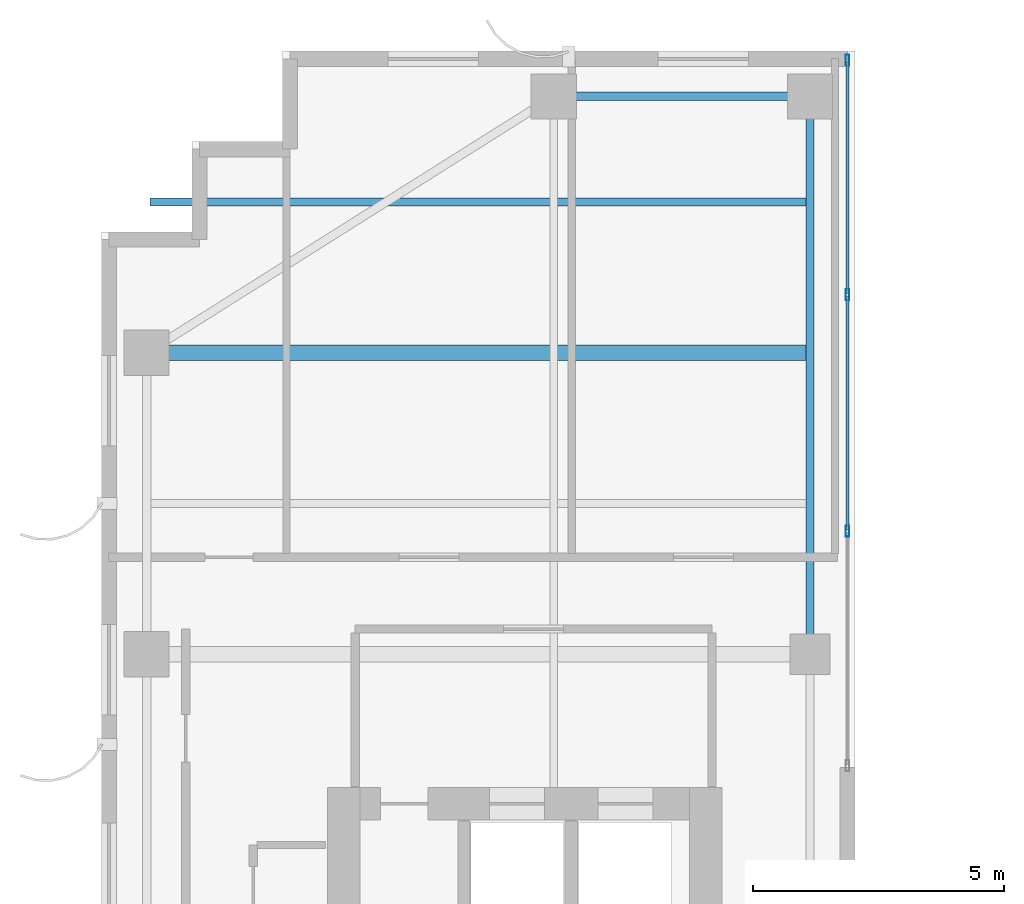
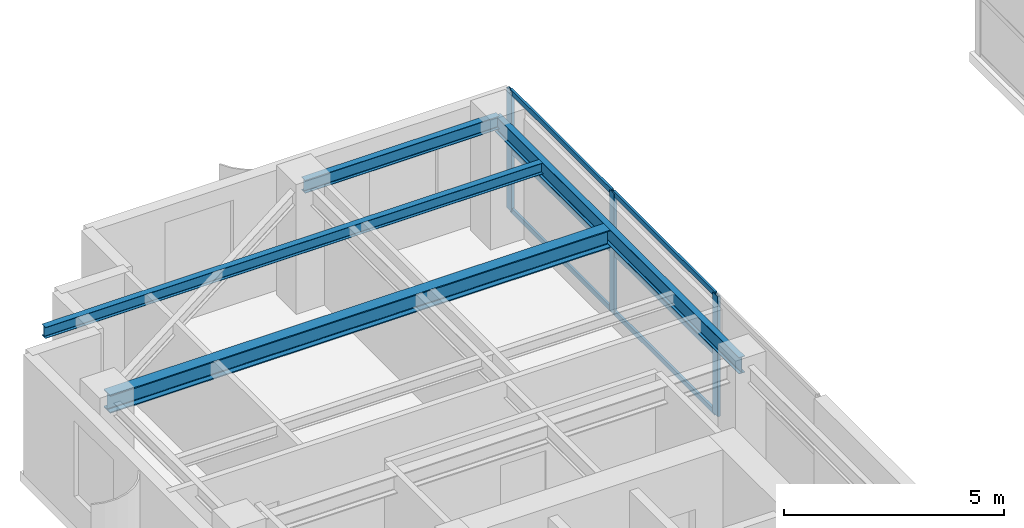
# One storey, part 13 of 22: 9 members, 4 beams, 1 element without a shape of its own.
"""IFC4 building model written with IfcOpenShell, lengths in metres."""

from ifc_helpers import new_model, si_unit, direction, frame, origin, origin_2d, place, context, subcontext, project, spatial, hollow_rectangle, i_section, extrude, source, transform, mapped, material, layer, layer_set, material_profile, profile_set, type_object, element, aggregate, save


model = new_model("IFC4")

# Units and contexts
model_context = context("Model", 3, precision=1e-05, world=origin(), true_north=direction((0.0, 1.0)))
body_context = subcontext(model_context, "Body", "Model", "MODEL_VIEW")
ifc_project = project(units=[si_unit("LENGTHUNIT", "METRE"), si_unit("AREAUNIT", "SQUARE_METRE"), si_unit("VOLUMEUNIT", "CUBIC_METRE"), si_unit("PLANEANGLEUNIT", "RADIAN"), si_unit("MASSUNIT", "GRAM", prefix="KILO")], contexts=[model_context])

# Site, building, storey
site_placement = place(None, origin())
site = spatial("IfcSite", under=ifc_project, at=site_placement, CompositionType="ELEMENT")
building_placement = place(site_placement, origin())
building = spatial("IfcBuilding", under=site, at=building_placement, Name="Khoralis Quay Care Tower", CompositionType="ELEMENT")
storey_placement = place(building_placement, frame((0.0, 0.0, 209.699951171875)))
storey = spatial("IfcBuildingStorey", under=building, at=storey_placement, Name="L55", CompositionType="ELEMENT", Elevation=209.699951171875)

# Beams
ifc_material_1 = material(Name="Steel S355", Category="steel")
ifc_material_profile_1 = material_profile(ifc_material_1, i_section(OverallWidth=0.169921875, OverallDepth=0.360107421875, WebThickness=0.008056640625, FlangeThickness=0.0126953125, FilletRadius=0.01806640625, at=origin_2d()), Name="Steel S355")
ifc_profile_set_1 = profile_set([ifc_material_profile_1], Name="Steel S355")
beam_type_1 = type_object("IfcBeamType", Name="BM-IPE360", PredefinedType="SPANDREL", material=ifc_profile_set_1)
shared_shape_1 = source(origin(), body_context, "Body", "SweptSolid", [
    extrude(i_section(OverallWidth=0.169921875, OverallDepth=0.360107421875, WebThickness=0.008056640625, FlangeThickness=0.0126953125, FilletRadius=0.01806640625, at=origin_2d()), origin(), (0.0, 0.0, 1.0), 5.10009765625),
])
beam_1_placement = place(storey_placement, frame((12.0, 41.10009765625, 3.16015625), z_axis=(1.0, 0.0, 0.0), x_axis=(0.0, 1.0, 0.0)))
element("IfcBeam", 1, at=beam_1_placement, inside=storey, type_object=beam_type_1, Name="BM-TSP-L55-03", PredefinedType="SPANDREL", context=body_context, shape_type="MappedRepresentation", body=[
    mapped(shared_shape_1, transform((0.0, 0.0, 0.0), scale=1.0)),
])
ifc_material_profile_2 = material_profile(ifc_material_1, i_section(OverallWidth=0.300048828125, OverallDepth=0.5, WebThickness=0.014404296875, FlangeThickness=0.028076171875, FilletRadius=0.027099609375, at=origin_2d()), Name="Steel S355")
ifc_profile_set_2 = profile_set([ifc_material_profile_2], Name="Steel S355")
beam_type_2 = type_object("IfcBeamType", Name="BM-HEB500", PredefinedType="BEAM", material=ifc_profile_set_2)
shared_shape_2 = source(origin(), body_context, "Body", "SweptSolid", [
    extrude(i_section(OverallWidth=0.300048828125, OverallDepth=0.5, WebThickness=0.014404296875, FlangeThickness=0.028076171875, FilletRadius=0.027099609375, at=origin_2d()), origin(), (0.0, 0.0, 1.0), 13.135009765625),
])
beam_2_placement = place(storey_placement, frame((3.89990234375, 36.0, 3.090087890625), z_axis=(1.0, 0.0, 0.0), x_axis=(0.0, 1.0, 0.0)))
element("IfcBeam", 2, at=beam_2_placement, inside=storey, type_object=beam_type_2, Name="BM-TGXW-L55-360", PredefinedType="BEAM", context=body_context, shape_type="MappedRepresentation", body=[
    mapped(shared_shape_2, transform((0.0, 0.0, 0.0), scale=1.0)),
])
ifc_material_profile_3 = material_profile(ifc_material_1, i_section(OverallWidth=0.154052734375, OverallDepth=0.458984375, WebThickness=0.009033203125, FlangeThickness=0.015380859375, FilletRadius=0.014892578125, at=origin_2d()), Name="Steel S355")
ifc_profile_set_3 = profile_set([ifc_material_profile_3], Name="Steel S355")
beam_type_3 = type_object("IfcBeamType", Name="BM-W460X68", PredefinedType="BEAM", material=ifc_profile_set_3)
shared_shape_3 = source(origin(), body_context, "Body", "SweptSolid", [
    extrude(i_section(OverallWidth=0.154052734375, OverallDepth=0.458984375, WebThickness=0.009033203125, FlangeThickness=0.015380859375, FilletRadius=0.014892578125, at=origin_2d()), origin(), (0.0, 0.0, 1.0), 11.10009765625),
])
beam_3_placement = place(storey_placement, frame((17.10009765625, 30.0, 3.110595703125), z_axis=(0.0, 1.0, 0.0), x_axis=(-1.0, 0.0, 0.0)))
element("IfcBeam", 3, at=beam_3_placement, inside=storey, type_object=beam_type_3, Name="BM-TGYN-L55-171", PredefinedType="BEAM", context=body_context, shape_type="MappedRepresentation", body=[
    mapped(shared_shape_3, transform((0.0, 0.0, 0.0), scale=1.0)),
])
ifc_material_profile_4 = material_profile(ifc_material_1, i_section(OverallWidth=0.1650390625, OverallDepth=0.31005859375, WebThickness=0.005859375, FlangeThickness=0.009765625, FilletRadius=0.011962890625, at=origin_2d()), Name="Steel S355")
ifc_profile_set_4 = profile_set([ifc_material_profile_4], Name="Steel S355")
beam_type_4 = type_object("IfcBeamType", Name="BM-W310X39", PredefinedType="JOIST", material=ifc_profile_set_4)
shared_shape_4 = source(origin(), body_context, "Body", "SweptSolid", [
    extrude(i_section(OverallWidth=0.1650390625, OverallDepth=0.31005859375, WebThickness=0.005859375, FlangeThickness=0.009765625, FilletRadius=0.011962890625, at=origin_2d()), origin(), (0.0, 0.0, 1.0), 13.06396484375),
])
beam_4_placement = place(storey_placement, frame((3.970947265625, 39.0, 3.18505859375), z_axis=(1.0, 0.0, 0.0), x_axis=(0.0, 1.0, 0.0)))
element("IfcBeam", 4, at=beam_4_placement, inside=storey, type_object=beam_type_4, Name="BM-TJS-L55-23", PredefinedType="JOIST", context=body_context, shape_type="MappedRepresentation", body=[
    mapped(shared_shape_4, transform((0.0, 0.0, 0.0), scale=1.0)),
])

# Curtain wall, members
ifc_material_2 = material(Name="Pale anodised aluminium", Category="aluminium")
ifc_layer = layer(ifc_material_2, 0.18994140625)
ifc_layer_set = layer_set([ifc_layer], Name="Pale anodised aluminium")
curtain_wall_type = type_object("IfcCurtainWallType", Name="CW-SYS-PORTAL", PredefinedType="NOTDEFINED", material=ifc_layer_set)
curtain_wall_placement = place(storey_placement, origin())
curtain_wall = element("IfcCurtainWall", 5, at=curtain_wall_placement, inside=storey, type_object=curtain_wall_type, Name="L55 Unitised Curtain Wall CW-VP-L55-P1-N", PredefinedType="NOTDEFINED")
ifc_material_profile_5 = material_profile(ifc_material_2, hollow_rectangle(XDim=0.074951171875, YDim=0.219970703125, WallThickness=0.00390625, at=origin_2d()), Name="Pale anodised aluminium")
ifc_profile_set_5 = profile_set([ifc_material_profile_5], Name="Pale anodised aluminium")
member_type_1 = type_object("IfcMemberType", Name="CW-MUL-220", PredefinedType="MULLION", material=ifc_profile_set_5)
shared_shape_5 = source(origin(), body_context, "Body", "SweptSolid", [
    extrude(hollow_rectangle(XDim=0.074951171875, YDim=0.219970703125, WallThickness=0.00390625, at=origin_2d()), origin(), (0.0, 0.0, 1.0), 3.340087890625),
])
member_1_placement = place(storey_placement, frame((17.85009765625, 32.449951171875, 0.0), z_axis=(0.0, 0.0, 1.0), x_axis=(-1.0, 0.0, 0.0)))
member_1 = element("IfcMember", 6, at=member_1_placement, type_object=member_type_1, Name="CW4 mullion 2", PredefinedType="MULLION", context=body_context, shape_type="MappedRepresentation", body=[
    mapped(shared_shape_5, transform((0.0, 0.0, 0.0), scale=1.0)),
])
member_2_placement = place(storey_placement, frame((17.85009765625, 37.14990234375, 0.0), z_axis=(0.0, 0.0, 1.0), x_axis=(-1.0, 0.0, 0.0)))
member_2 = element("IfcMember", 7, at=member_2_placement, type_object=member_type_1, Name="CW4 mullion 3", PredefinedType="MULLION", context=body_context, shape_type="MappedRepresentation", body=[
    mapped(shared_shape_5, transform((0.0, 0.0, 0.0), scale=1.0)),
])
member_3_placement = place(storey_placement, frame((17.85009765625, 41.820068359375, 0.0), z_axis=(0.0, 0.0, 1.0), x_axis=(-1.0, 0.0, 0.0)))
member_3 = element("IfcMember", 8, at=member_3_placement, type_object=member_type_1, Name="CW4 mullion 4", PredefinedType="MULLION", context=body_context, shape_type="MappedRepresentation", body=[
    mapped(shared_shape_5, transform((0.0, 0.0, 0.0), scale=1.0)),
])
ifc_material_profile_6 = material_profile(ifc_material_2, hollow_rectangle(XDim=0.06005859375, YDim=0.139892578125, WallThickness=0.00390625, at=origin_2d()), Name="Pale anodised aluminium")
ifc_profile_set_6 = profile_set([ifc_material_profile_6], Name="Pale anodised aluminium")
member_type_2 = type_object("IfcMemberType", Name="CW-TRN-140", PredefinedType="USERDEFINED", material=ifc_profile_set_6)
shared_shape_6 = source(origin(), body_context, "Body", "SweptSolid", [
    extrude(hollow_rectangle(XDim=0.06005859375, YDim=0.139892578125, WallThickness=0.00390625, at=origin_2d()), origin(), (0.0, 0.0, 1.0), 4.610107421875),
])
member_4_placement = place(storey_placement, frame((17.85009765625, 37.179931640625, 0.030029296875), z_axis=(0.0, 1.0, 0.0), x_axis=(-1.0, 0.0, 0.0)))
member_4 = element("IfcMember", 9, at=member_4_placement, type_object=member_type_2, Name="CW4 transom 3.1", ObjectType="TRANSOM", PredefinedType="USERDEFINED", context=body_context, shape_type="MappedRepresentation", body=[
    mapped(shared_shape_6, transform((0.0, 0.0, 0.0), scale=1.0)),
])
member_5_placement = place(storey_placement, frame((17.85009765625, 37.179931640625, 1.670166015625), z_axis=(0.0, 1.0, 0.0), x_axis=(-1.0, 0.0, 0.0)))
member_5 = element("IfcMember", 10, at=member_5_placement, type_object=member_type_2, Name="CW4 transom 3.2", ObjectType="TRANSOM", PredefinedType="USERDEFINED", context=body_context, shape_type="MappedRepresentation", body=[
    mapped(shared_shape_6, transform((0.0, 0.0, 0.0), scale=1.0)),
])
member_6_placement = place(storey_placement, frame((17.85009765625, 37.179931640625, 3.31005859375), z_axis=(0.0, 1.0, 0.0), x_axis=(-1.0, 0.0, 0.0)))
member_6 = element("IfcMember", 11, at=member_6_placement, type_object=member_type_2, Name="CW4 transom 3.3", ObjectType="TRANSOM", PredefinedType="USERDEFINED", context=body_context, shape_type="MappedRepresentation", body=[
    mapped(shared_shape_6, transform((0.0, 0.0, 0.0), scale=1.0)),
])
shared_shape_7 = source(origin(), body_context, "Body", "SweptSolid", [
    extrude(hollow_rectangle(XDim=0.06005859375, YDim=0.139892578125, WallThickness=0.00390625, at=origin_2d()), origin(), (0.0, 0.0, 1.0), 4.64013671875),
])
member_7_placement = place(storey_placement, frame((17.85009765625, 32.47998046875, 0.030029296875), z_axis=(0.0, 1.0, 0.0), x_axis=(-1.0, 0.0, 0.0)))
member_7 = element("IfcMember", 12, at=member_7_placement, type_object=member_type_2, Name="CW4 transom 2.1", ObjectType="TRANSOM", PredefinedType="USERDEFINED", context=body_context, shape_type="MappedRepresentation", body=[
    mapped(shared_shape_7, transform((0.0, 0.0, 0.0), scale=1.0)),
])
member_8_placement = place(storey_placement, frame((17.85009765625, 32.47998046875, 1.670166015625), z_axis=(0.0, 1.0, 0.0), x_axis=(-1.0, 0.0, 0.0)))
member_8 = element("IfcMember", 13, at=member_8_placement, type_object=member_type_2, Name="CW4 transom 2.2", ObjectType="TRANSOM", PredefinedType="USERDEFINED", context=body_context, shape_type="MappedRepresentation", body=[
    mapped(shared_shape_7, transform((0.0, 0.0, 0.0), scale=1.0)),
])
member_9_placement = place(storey_placement, frame((17.85009765625, 32.47998046875, 3.31005859375), z_axis=(0.0, 1.0, 0.0), x_axis=(-1.0, 0.0, 0.0)))
member_9 = element("IfcMember", 14, at=member_9_placement, type_object=member_type_2, Name="CW4 transom 2.3", ObjectType="TRANSOM", PredefinedType="USERDEFINED", context=body_context, shape_type="MappedRepresentation", body=[
    mapped(shared_shape_7, transform((0.0, 0.0, 0.0), scale=1.0)),
])
aggregate(curtain_wall, [member_1, member_2, member_3, member_7, member_8, member_9, member_4, member_5, member_6])

save(model, "model.ifc")
